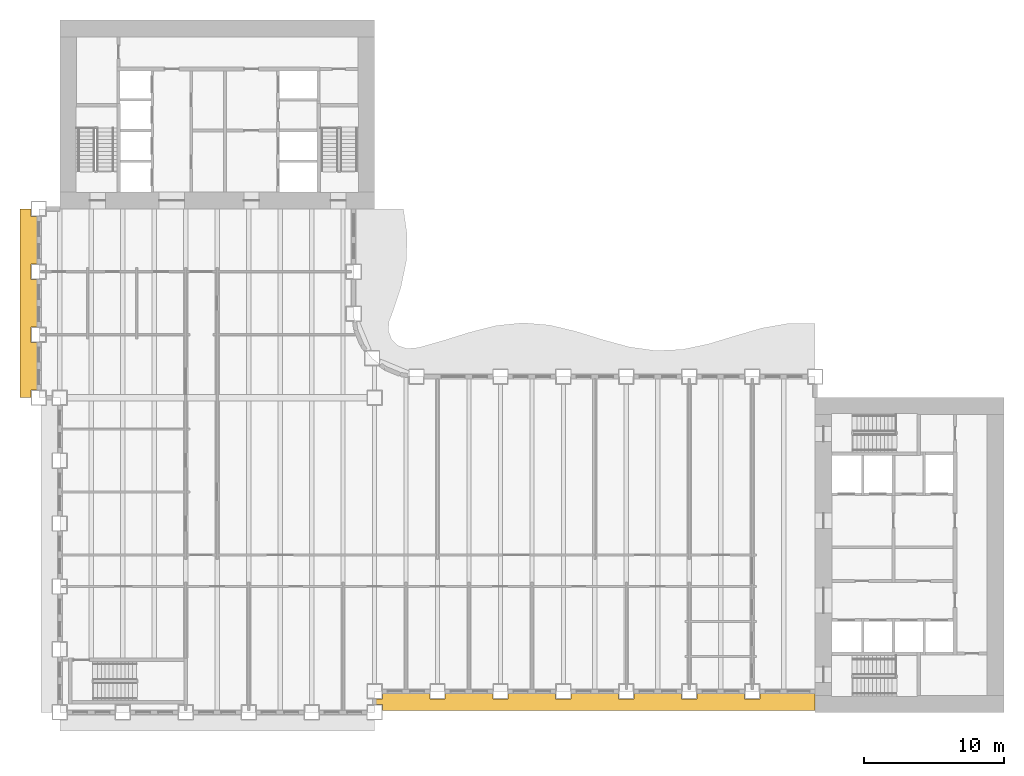
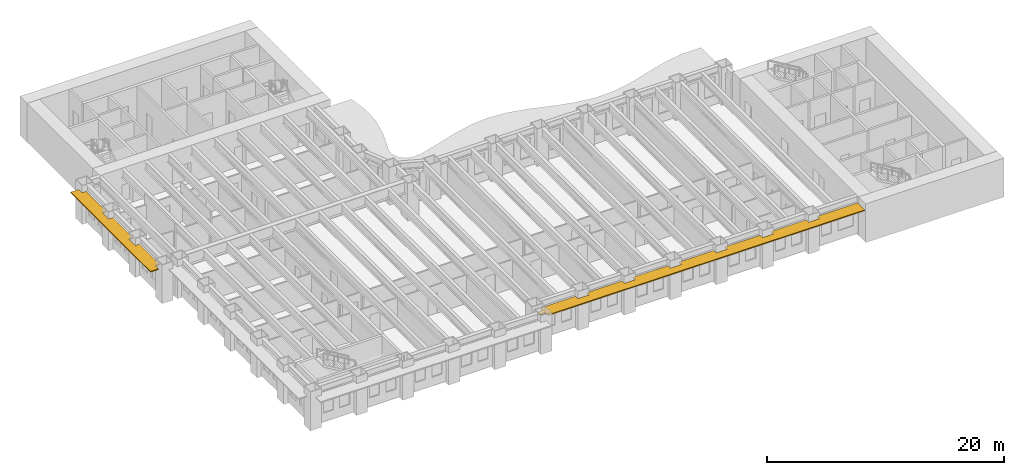
# One storey, part 11 of 15: 2 shading devices.
"""IFC4 building model written with IfcOpenShell, lengths in metres."""

from ifc_helpers import new_model, si_unit, direction, frame, origin, place, context, subcontext, project, spatial, polyline, outline, extrude, material, layer, layer_set, type_object, element, save


model = new_model("IFC4")

# Units and contexts
model_context = context("Model", 3, precision=1e-05, world=origin(), true_north=direction((0.0, 1.0)))
body_context = subcontext(model_context, "Body", "Model", "MODEL_VIEW")
ifc_project = project(units=[si_unit("LENGTHUNIT", "METRE"), si_unit("AREAUNIT", "SQUARE_METRE"), si_unit("VOLUMEUNIT", "CUBIC_METRE"), si_unit("PLANEANGLEUNIT", "RADIAN"), si_unit("MASSUNIT", "GRAM", prefix="KILO")], contexts=[model_context])

# Site, building, storey
site_placement = place(None, origin())
site = spatial("IfcSite", under=ifc_project, at=site_placement, CompositionType="ELEMENT")
building_placement = place(site_placement, origin())
building = spatial("IfcBuilding", under=site, at=building_placement, Name="Sennacour Bend Tower", CompositionType="ELEMENT")
storey_placement = place(building_placement, frame((0.0, 0.0, 33.0)))
storey = spatial("IfcBuildingStorey", under=building, at=storey_placement, Name="L06", CompositionType="ELEMENT", Elevation=33.0)

# Shading devices
ifc_material = material(Name="Bronze anodised aluminium", Category="aluminium")
ifc_layer = layer(ifc_material, 0.10009765625, Name="Bronze anodised aluminium", Category="aluminium")
ifc_layer_set = layer_set([ifc_layer], Name="Bronze anodised aluminium")
shading_device_type = type_object("IfcShadingDeviceType", Name="SUNSHADE BAND STRAIGHT", PredefinedType="USERDEFINED", material=ifc_layer_set)
shading_device_1_placement = place(storey_placement, frame((0.0, 0.0, 3.0439453125)))
element("IfcShadingDevice", 1, at=shading_device_1_placement, inside=storey, type_object=shading_device_type, Name="Sunshade band L06 A outer face", ObjectType="SUNSHADE", PredefinedType="USERDEFINED", context=body_context, shape_type="SweptSolid", body=[
    extrude(outline(polyline([(26.449951171875, 1.35009765625), (26.449951171875, 0.949951171875), (27.550048828125, 0.949951171875), (27.550048828125, 1.35009765625), (30.949951171875, 1.35009765625), (30.949951171875, 0.949951171875), (32.050048828125, 0.949951171875), (32.050048828125, 1.35009765625), (35.449951171875, 1.35009765625), (35.449951171875, 0.949951171875), (36.550048828125, 0.949951171875), (36.550048828125, 1.35009765625), (39.949951171875, 1.35009765625), (39.949951171875, 0.949951171875), (41.050048828125, 0.949951171875), (41.050048828125, 1.35009765625), (44.449951171875, 1.35009765625), (44.449951171875, 0.949951171875), (45.550048828125, 0.949951171875), (45.550048828125, 1.35009765625), (48.949951171875, 1.35009765625), (48.949951171875, 0.949951171875), (50.050048828125, 0.949951171875), (50.050048828125, 1.35009765625), (54.0, 1.35009765625), (54.0, 0.14990234375), (23.050048828125, 0.14990234375), (23.050048828125, 0.550048828125), (22.5, 0.550048828125), (22.5, 0.949951171875), (23.050048828125, 0.949951171875), (23.050048828125, 1.35009765625), (26.449951171875, 1.35009765625)])), origin(), (0.0, 0.0, 1.0), 0.10009765625),
])
shading_device_2_placement = place(storey_placement, frame((0.0, 0.0, 3.0439453125)))
element("IfcShadingDevice", 2, at=shading_device_2_placement, inside=storey, type_object=shading_device_type, Name="Sunshade band L06 B outer face", ObjectType="SUNSHADE", PredefinedType="USERDEFINED", context=body_context, shape_type="SweptSolid", body=[
    extrude(outline(polyline([(-1.64990234375, 32.050048828125), (-2.050048828125, 32.050048828125), (-2.050048828125, 30.949951171875), (-1.64990234375, 30.949951171875), (-1.64990234375, 27.550048828125), (-2.050048828125, 27.550048828125), (-2.050048828125, 26.449951171875), (-1.64990234375, 26.449951171875), (-1.64990234375, 23.050048828125), (-2.050048828125, 23.050048828125), (-2.050048828125, 22.5), (-2.85009765625, 22.5), (-2.85009765625, 36.0), (-2.050048828125, 36.0), (-2.050048828125, 35.449951171875), (-1.64990234375, 35.449951171875), (-1.64990234375, 32.050048828125)])), origin(), (0.0, 0.0, 1.0), 0.10009765625),
])

save(model, "model.ifc")
